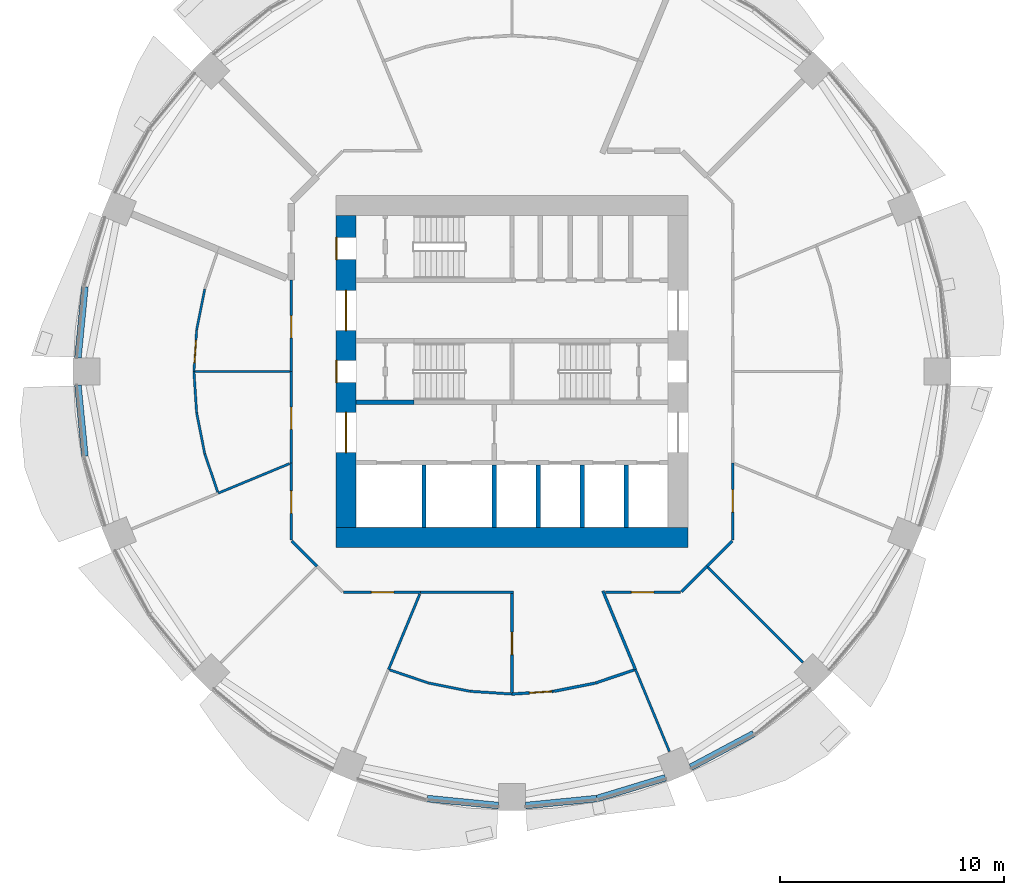
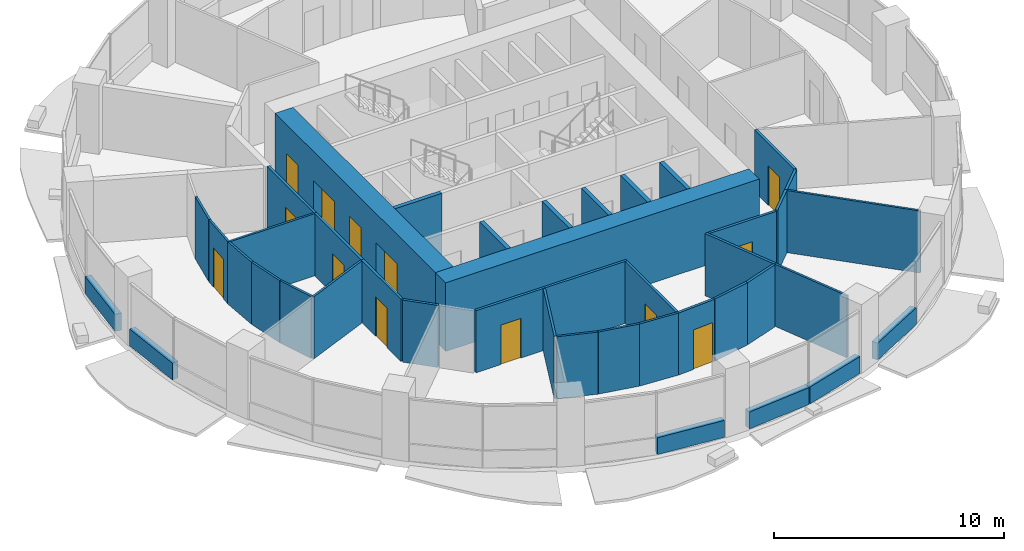
# One storey, part 8 of 15: 42 walls, 13 doors, 13 openings.
"""IFC4 building model written with IfcOpenShell, lengths in metres."""

from ifc_helpers import new_model, si_unit, direction, frame, frame_2d, origin, place, context, subcontext, project, spatial, rectangle, extrude, material, layer, layer_set, type_object, element, fill, save


model = new_model("IFC4")

# Units and contexts
model_context = context("Model", 3, precision=1e-05, world=origin(), true_north=direction((0.0, 1.0)))
body_context = subcontext(model_context, "Body", "Model", "MODEL_VIEW")
ifc_project = project(units=[si_unit("LENGTHUNIT", "METRE"), si_unit("AREAUNIT", "SQUARE_METRE"), si_unit("VOLUMEUNIT", "CUBIC_METRE"), si_unit("PLANEANGLEUNIT", "RADIAN"), si_unit("MASSUNIT", "GRAM", prefix="KILO")], contexts=[model_context])

# Site, building, storey
site_placement = place(None, origin())
site = spatial("IfcSite", under=ifc_project, at=site_placement, CompositionType="ELEMENT")
building_placement = place(site_placement, origin())
building = spatial("IfcBuilding", under=site, at=building_placement, Name="Polderwave Tower", CompositionType="ELEMENT")
storey_placement = place(building_placement, frame((0.0, 0.0, 48.10009765625)))
storey = spatial("IfcBuildingStorey", under=building, at=storey_placement, Name="L12", CompositionType="ELEMENT", Elevation=48.10009765625)

# Wall
ifc_material_1 = material(Name="Concrete C80/95", Category="concrete")
ifc_layer_1 = layer(ifc_material_1, 0.89990234375)
ifc_layer_set_1 = layer_set([ifc_layer_1], Name="CORE WALL 900 C80/95")
wall_type_1 = type_object("IfcWallType", Name="CORE WALL 900 C80/95", PredefinedType="SHEAR", material=ifc_layer_set_1)
wall_1_placement = place(storey_placement, frame((-7.8740234375, -7.424072265625, 0.0), z_axis=(0.0, 0.0, 1.0), x_axis=(1.0, 0.0, 0.0)))
element("IfcWall", 1, at=wall_1_placement, inside=storey, type_object=wall_type_1, Name="ST-CORE-L12-S", PredefinedType="SHEAR", context=body_context, shape_type="SweptSolid", body=[
    extrude(rectangle(XDim=15.748046875, YDim=0.89990234375, at=frame_2d((7.8740234375, 0.0))), origin(), (0.0, 0.0, 1.0), 3.64990234375),
])

# Wall, openings, doors
wall_2_placement = place(storey_placement, frame((-7.424072265625, -6.97412109375, 0.0), z_axis=(0.0, 0.0, 1.0), x_axis=(0.0, 1.0, 0.0)))
wall_2 = element("IfcWall", 2, at=wall_2_placement, inside=storey, type_object=wall_type_1, Name="ST-CORE-L12-W", PredefinedType="SHEAR", context=body_context, shape_type="SweptSolid", body=[
    extrude(rectangle(XDim=13.9482421875, YDim=0.89990234375, at=frame_2d((6.97412109375, 0.0))), origin(), (0.0, 0.0, 1.0), 3.64990234375),
])
opening_1_placement = place(wall_2_placement, frame((6.47412109375, 0.0, 0.0)))
opening_1 = element("IfcOpeningElement", 3, at=opening_1_placement, cuts=wall_2, Name="Opening L12-D19", PredefinedType="OPENING", context=body_context, shape_type="SweptSolid", body=[
    extrude(rectangle(XDim=1.0, YDim=2.10009765625, at=frame_2d((0.5, 1.050048828125))), frame((0.0, 0.4599609375, 0.0), z_axis=(0.0, -1.0, 0.0), x_axis=(1.0, 0.0, 0.0)), (0.0, 0.0, 1.0), 0.919921875),
])
opening_2_placement = place(wall_2_placement, frame((3.349609375, 0.0, 0.0)))
opening_2 = element("IfcOpeningElement", 4, at=opening_2_placement, cuts=wall_2, Name="Opening L12-D20", PredefinedType="OPENING", context=body_context, shape_type="SweptSolid", body=[
    extrude(rectangle(XDim=1.800048828125, YDim=2.10009765625, at=frame_2d((0.89990234375, 1.050048828125))), frame((0.0, 0.4599609375, 0.0), z_axis=(0.0, -1.0, 0.0), x_axis=(1.0, 0.0, 0.0)), (0.0, 0.0, 1.0), 0.919921875),
])
opening_3_placement = place(wall_2_placement, frame((8.798583984375, 0.0, 0.0)))
opening_3 = element("IfcOpeningElement", 5, at=opening_3_placement, cuts=wall_2, Name="Opening L12-D21", PredefinedType="OPENING", context=body_context, shape_type="SweptSolid", body=[
    extrude(rectangle(XDim=1.800048828125, YDim=2.10009765625, at=frame_2d((0.89990234375, 1.050048828125))), frame((0.0, 0.4599609375, 0.0), z_axis=(0.0, -1.0, 0.0), x_axis=(1.0, 0.0, 0.0)), (0.0, 0.0, 1.0), 0.919921875),
])
opening_4_placement = place(wall_2_placement, frame((11.97412109375, 0.0, 0.0)))
opening_4 = element("IfcOpeningElement", 6, at=opening_4_placement, cuts=wall_2, Name="Opening L12-D22", PredefinedType="OPENING", context=body_context, shape_type="SweptSolid", body=[
    extrude(rectangle(XDim=1.0, YDim=2.10009765625, at=frame_2d((0.5, 1.050048828125))), frame((0.0, 0.4599609375, 0.0), z_axis=(0.0, -1.0, 0.0), x_axis=(1.0, 0.0, 0.0)), (0.0, 0.0, 1.0), 0.919921875),
])
ifc_material_2 = material(Name="Steel fire door", Category="steel")
door_type_1 = type_object("IfcDoorType", Name="Lobby entry door pair 1800", OperationType="DOUBLE_DOOR_SINGLE_SWING", PredefinedType="DOOR", material=ifc_material_2)
door_1_placement = place(opening_2_placement, origin())
door_1 = element("IfcDoor", 7, at=door_1_placement, inside=storey, type_object=door_type_1, Name="Fire-fighting lobby entry door", OperationType="DOUBLE_DOOR_SINGLE_SWING", OverallHeight=2.10009765625, OverallWidth=1.800048828125, PredefinedType="DOOR", context=body_context, shape_type="SweptSolid", body=[
    extrude(rectangle(XDim=1.800048828125, YDim=2.10009765625, at=frame_2d((0.89990234375, 1.050048828125))), frame((0.0, 0.02490234375, 0.0), z_axis=(0.0, -1.0, 0.0), x_axis=(1.0, 0.0, 0.0)), (0.0, 0.0, 1.0), 0.050048828125),
])
fill(opening_2, door_1)
door_2_placement = place(opening_3_placement, origin())
door_2 = element("IfcDoor", 8, at=door_2_placement, inside=storey, type_object=door_type_1, Name="North lobby entry door", OperationType="DOUBLE_DOOR_SINGLE_SWING", OverallHeight=2.10009765625, OverallWidth=1.800048828125, PredefinedType="DOOR", context=body_context, shape_type="SweptSolid", body=[
    extrude(rectangle(XDim=1.800048828125, YDim=2.10009765625, at=frame_2d((0.89990234375, 1.050048828125))), frame((0.0, 0.02490234375, 0.0), z_axis=(0.0, -1.0, 0.0), x_axis=(1.0, 0.0, 0.0)), (0.0, 0.0, 1.0), 0.050048828125),
])
fill(opening_3, door_2)
door_type_2 = type_object("IfcDoorType", Name="Stair door 1000", OperationType="NOTDEFINED", PredefinedType="DOOR", material=ifc_material_2)
door_3_placement = place(opening_1_placement, origin())
door_3 = element("IfcDoor", 9, at=door_3_placement, inside=storey, type_object=door_type_2, Name="Stair A entry door", OperationType="SINGLE_SWING_RIGHT", OverallHeight=2.10009765625, OverallWidth=1.0, PredefinedType="DOOR", context=body_context, shape_type="SweptSolid", body=[
    extrude(rectangle(XDim=1.0, YDim=2.10009765625, at=frame_2d((0.5, 1.050048828125))), frame((0.0, 0.4501953125, 0.0), z_axis=(0.0, -1.0, 0.0), x_axis=(1.0, 0.0, 0.0)), (0.0, 0.0, 1.0), 0.050048828125),
])
fill(opening_1, door_3)
door_4_placement = place(opening_4_placement, origin())
door_4 = element("IfcDoor", 10, at=door_4_placement, inside=storey, type_object=door_type_2, Name="Stair C entry door", OperationType="SINGLE_SWING_RIGHT", OverallHeight=2.10009765625, OverallWidth=1.0, PredefinedType="DOOR", context=body_context, shape_type="SweptSolid", body=[
    extrude(rectangle(XDim=1.0, YDim=2.10009765625, at=frame_2d((0.5, 1.050048828125))), frame((0.0, 0.4501953125, 0.0), z_axis=(0.0, -1.0, 0.0), x_axis=(1.0, 0.0, 0.0)), (0.0, 0.0, 1.0), 0.050048828125),
])
fill(opening_4, door_4)

# Walls
ifc_material_3 = material(Name="Concrete C50/60 (board-marked)", Category="concrete")
ifc_layer_2 = layer(ifc_material_3, 0.300048828125)
ifc_layer_set_2 = layer_set([ifc_layer_2], Name="Concrete spandrel upstand C50/60")
wall_type_2 = type_object("IfcWallType", Name="Concrete spandrel upstand C50/60", PredefinedType="SOLIDWALL", material=ifc_layer_set_2)
for number, where, z_axis, x_axis, name in (
    (11, (-19.107421875, 3.78515625, 0.0), (0.0, 0.0, 1.0), (-0.097880808755, -0.995198144732, 0.0), "Spandrel L12 8b"),
    (12, (-19.41943359375, -0.61279296875, 0.0), (0.0, 0.0, 1.0), (0.097880808755, -0.995198144732, 0.0), "Spandrel L12 9a"),
    (13, (-3.78515625, -19.107421875, 0.0), (0.0, 0.0, 1.0), (0.995198144732, -0.097880808755, 0.0), "Spandrel L12 12b"),
    (14, (0.61279296875, -19.41943359375, 0.0), (0.0, 0.0, 1.0), (0.995198144732, 0.097880808755, 0.0), "Spandrel L12 13a"),
):
    element("IfcWall", number, at=place(storey_placement, frame(where, z_axis=z_axis, x_axis=x_axis)), inside=storey, type_object=wall_type_2, Name=name, PredefinedType="SOLIDWALL", context=body_context, shape_type="SweptSolid", body=[
        extrude(rectangle(XDim=3.187744140625, YDim=0.300048828125, at=frame_2d((1.59375, 0.0))), origin(), (0.0, 0.0, 1.0), 0.89990234375),
    ])
wall_3_placement = place(storey_placement, frame((3.814453125, -19.1015625, 0.0), z_axis=(0.0, 0.0, 1.0), x_axis=(0.956849017819, 0.290585541792, 0.0)))
element("IfcWall", 15, at=wall_3_placement, inside=storey, type_object=wall_type_2, Name="Spandrel L12 13b", PredefinedType="SOLIDWALL", context=body_context, shape_type="SweptSolid", body=[
    extrude(rectangle(XDim=3.1875, YDim=0.300048828125, at=frame_2d((1.59375, 0.0))), origin(), (0.0, 0.0, 1.0), 0.89990234375),
])
wall_4_placement = place(storey_placement, frame((7.998291015625, -17.705810546875, 0.0), z_axis=(0.0, 0.0, 1.0), x_axis=(0.881994263934, 0.471260138764, 0.0)))
element("IfcWall", 16, at=wall_4_placement, inside=storey, type_object=wall_type_2, Name="Spandrel L12 14a", PredefinedType="SOLIDWALL", context=body_context, shape_type="SweptSolid", body=[
    extrude(rectangle(XDim=3.1865234375, YDim=0.300048828125, at=frame_2d((1.59326171875, 0.0))), origin(), (0.0, 0.0, 1.0), 0.89990234375),
])
ifc_material_4 = material(Name="Concrete C50/60", Category="concrete")
ifc_layer_3 = layer(ifc_material_4, 0.199951171875)
ifc_layer_set_3 = layer_set([ifc_layer_3], Name="Core web wall 200")
wall_type_3 = type_object("IfcWallType", Name="Core web wall 200", PredefinedType="SHEAR", material=ifc_layer_set_3)
wall_5_placement = place(storey_placement, frame((-6.97412109375, -1.375, 0.0), z_axis=(0.0, 0.0, 1.0), x_axis=(1.0, 0.0, 0.0)))
element("IfcWall", 17, at=wall_5_placement, inside=storey, type_object=wall_type_3, Name="L12 south stair wall 1", PredefinedType="SHEAR", context=body_context, shape_type="SweptSolid", body=[
    extrude(rectangle(XDim=2.60009765625, YDim=0.199951171875, at=frame_2d((1.300048828125, 0.0))), origin(), (0.0, 0.0, 1.0), 3.2998046875),
])
ifc_material_5 = material(Name="Fire-resisting board on steel studs", Category="steel")
ifc_layer_4 = layer(ifc_material_5, 0.125)
ifc_layer_set_4 = layer_set([ifc_layer_4], Name="Corridor wall 125 mm EI 60")
wall_type_4 = type_object("IfcWallType", Name="Corridor wall 125 mm EI 60", PredefinedType="PARTITIONING", material=ifc_layer_set_4)
wall_6_placement = place(storey_placement, frame((9.855712890625, -7.58935546875, 0.0), z_axis=(0.0, 0.0, 1.0), x_axis=(-0.70718294931, -0.707030604857, 0.0)))
element("IfcWall", 18, at=wall_6_placement, inside=storey, type_object=wall_type_4, Name="IN-L12-W004", PredefinedType="PARTITIONING", context=body_context, shape_type="SweptSolid", body=[
    extrude(rectangle(XDim=1.6025390625, YDim=0.125, at=frame_2d((0.80126953125, 0.0))), origin(), (0.0, 0.0, 1.0), 3.2998046875),
])

# Wall, opening, door
wall_7_placement = place(storey_placement, frame((9.8740234375, -4.08984375, 0.0), z_axis=(0.0, 0.0, 1.0), x_axis=(0.0, -1.0, 0.0)))
wall_7 = element("IfcWall", 19, at=wall_7_placement, inside=storey, type_object=wall_type_4, Name="IN-L12-W005", PredefinedType="PARTITIONING", context=body_context, shape_type="SweptSolid", body=[
    extrude(rectangle(XDim=3.455322265625, YDim=0.125, at=frame_2d((1.7275390625, 0.0))), origin(), (0.0, 0.0, 1.0), 3.2998046875),
])
opening_5_placement = place(wall_7_placement, frame((1.199951171875, 0.0, 0.0)))
opening_5 = element("IfcOpeningElement", 20, at=opening_5_placement, cuts=wall_7, Name="Opening L12-D52", PredefinedType="OPENING", context=body_context, shape_type="SweptSolid", body=[
    extrude(rectangle(XDim=1.0, YDim=2.10009765625, at=frame_2d((0.5, 1.050048828125))), frame((0.0, 0.072509765625, 0.0), z_axis=(0.0, -1.0, 0.0), x_axis=(1.0, 0.0, 0.0)), (0.0, 0.0, 1.0), 0.14501953125),
])
ifc_material_6 = material(Name="Timber fire door leaf", Category="wood")
door_type_3 = type_object("IfcDoorType", Name="Fire door FD30S 1000 x 2100", OperationType="NOTDEFINED", PredefinedType="DOOR", material=ifc_material_6)
door_5_placement = place(opening_5_placement, origin())
door_5 = element("IfcDoor", 21, at=door_5_placement, inside=storey, type_object=door_type_3, Name="Door L12-D52", OperationType="SINGLE_SWING_LEFT", OverallHeight=2.10009765625, OverallWidth=1.0, PredefinedType="DOOR", context=body_context, shape_type="SweptSolid", body=[
    extrude(rectangle(XDim=1.0, YDim=2.10009765625, at=frame_2d((0.5, 1.050048828125))), frame((0.0, 0.02490234375, 0.0), z_axis=(0.0, -1.0, 0.0), x_axis=(1.0, 0.0, 0.0)), (0.0, 0.0, 1.0), 0.050048828125),
])
fill(opening_5, door_5)

wall_8_placement = place(storey_placement, frame((-9.8740234375, 0.0, 0.0), z_axis=(0.0, 0.0, 1.0), x_axis=(0.0, 1.0, 0.0)))
wall_8 = element("IfcWall", 22, at=wall_8_placement, inside=storey, type_object=wall_type_4, Name="IN-L12-W013", PredefinedType="PARTITIONING", context=body_context, shape_type="SweptSolid", body=[
    extrude(rectangle(XDim=4.08984375, YDim=0.125, at=frame_2d((2.044921875, 0.0))), origin(), (0.0, 0.0, 1.0), 3.2998046875),
])
opening_6_placement = place(wall_8_placement, frame((1.5, 0.0, 0.0)))
opening_6 = element("IfcOpeningElement", 23, at=opening_6_placement, cuts=wall_8, Name="Opening L12-D57", PredefinedType="OPENING", context=body_context, shape_type="SweptSolid", body=[
    extrude(rectangle(XDim=1.0, YDim=2.10009765625, at=frame_2d((0.5, 1.050048828125))), frame((0.0, 0.072509765625, 0.0), z_axis=(0.0, -1.0, 0.0), x_axis=(1.0, 0.0, 0.0)), (0.0, 0.0, 1.0), 0.14501953125),
])
door_6_placement = place(opening_6_placement, origin())
door_6 = element("IfcDoor", 24, at=door_6_placement, inside=storey, type_object=door_type_3, Name="Door L12-D57", OperationType="SINGLE_SWING_LEFT", OverallHeight=2.10009765625, OverallWidth=1.0, PredefinedType="DOOR", context=body_context, shape_type="SweptSolid", body=[
    extrude(rectangle(XDim=1.0, YDim=2.10009765625, at=frame_2d((0.5, 1.050048828125))), frame((0.0, 0.02490234375, 0.0), z_axis=(0.0, -1.0, 0.0), x_axis=(1.0, 0.0, 0.0)), (0.0, 0.0, 1.0), 0.050048828125),
])
fill(opening_6, door_6)

wall_9_placement = place(storey_placement, frame((-9.8740234375, -4.08984375, 0.0), z_axis=(0.0, 0.0, 1.0), x_axis=(0.0, 1.0, 0.0)))
wall_9 = element("IfcWall", 25, at=wall_9_placement, inside=storey, type_object=wall_type_4, Name="IN-L12-W014", PredefinedType="PARTITIONING", context=body_context, shape_type="SweptSolid", body=[
    extrude(rectangle(XDim=4.08984375, YDim=0.125, at=frame_2d((2.044921875, 0.0))), origin(), (0.0, 0.0, 1.0), 3.2998046875),
])
opening_7_placement = place(wall_9_placement, frame((1.5, 0.0, 0.0)))
opening_7 = element("IfcOpeningElement", 26, at=opening_7_placement, cuts=wall_9, Name="Opening L12-D58", PredefinedType="OPENING", context=body_context, shape_type="SweptSolid", body=[
    extrude(rectangle(XDim=1.0, YDim=2.10009765625, at=frame_2d((0.5, 1.050048828125))), frame((0.0, 0.072509765625, 0.0), z_axis=(0.0, -1.0, 0.0), x_axis=(1.0, 0.0, 0.0)), (0.0, 0.0, 1.0), 0.14501953125),
])
door_7_placement = place(opening_7_placement, origin())
door_7 = element("IfcDoor", 27, at=door_7_placement, inside=storey, type_object=door_type_3, Name="Door L12-D58", OperationType="SINGLE_SWING_LEFT", OverallHeight=2.10009765625, OverallWidth=1.0, PredefinedType="DOOR", context=body_context, shape_type="SweptSolid", body=[
    extrude(rectangle(XDim=1.0, YDim=2.10009765625, at=frame_2d((0.5, 1.050048828125))), frame((0.0, 0.02490234375, 0.0), z_axis=(0.0, -1.0, 0.0), x_axis=(1.0, 0.0, 0.0)), (0.0, 0.0, 1.0), 0.050048828125),
])
fill(opening_7, door_7)

wall_10_placement = place(storey_placement, frame((-9.8740234375, -7.545166015625, 0.0), z_axis=(0.0, 0.0, 1.0), x_axis=(0.0, 1.0, 0.0)))
wall_10 = element("IfcWall", 28, at=wall_10_placement, inside=storey, type_object=wall_type_4, Name="IN-L12-W015", PredefinedType="PARTITIONING", context=body_context, shape_type="SweptSolid", body=[
    extrude(rectangle(XDim=3.455322265625, YDim=0.125, at=frame_2d((1.7275390625, 0.0))), origin(), (0.0, 0.0, 1.0), 3.2998046875),
])
opening_8_placement = place(wall_10_placement, frame((1.199951171875, 0.0, 0.0)))
opening_8 = element("IfcOpeningElement", 29, at=opening_8_placement, cuts=wall_10, Name="Opening L12-D59", PredefinedType="OPENING", context=body_context, shape_type="SweptSolid", body=[
    extrude(rectangle(XDim=1.0, YDim=2.10009765625, at=frame_2d((0.5, 1.050048828125))), frame((0.0, 0.072509765625, 0.0), z_axis=(0.0, -1.0, 0.0), x_axis=(1.0, 0.0, 0.0)), (0.0, 0.0, 1.0), 0.14501953125),
])
door_8_placement = place(opening_8_placement, origin())
door_8 = element("IfcDoor", 30, at=door_8_placement, inside=storey, type_object=door_type_3, Name="Door L12-D59", OperationType="SINGLE_SWING_LEFT", OverallHeight=2.10009765625, OverallWidth=1.0, PredefinedType="DOOR", context=body_context, shape_type="SweptSolid", body=[
    extrude(rectangle(XDim=1.0, YDim=2.10009765625, at=frame_2d((0.5, 1.050048828125))), frame((0.0, 0.02490234375, 0.0), z_axis=(0.0, -1.0, 0.0), x_axis=(1.0, 0.0, 0.0)), (0.0, 0.0, 1.0), 0.050048828125),
])
fill(opening_8, door_8)

# Wall
wall_11_placement = place(storey_placement, frame((-8.722412109375, -8.722412109375, 0.0), z_axis=(0.0, 0.0, 1.0), x_axis=(-0.70718294931, 0.707030604857, 0.0)))
element("IfcWall", 31, at=wall_11_placement, inside=storey, type_object=wall_type_4, Name="IN-L12-W016", PredefinedType="PARTITIONING", context=body_context, shape_type="SweptSolid", body=[
    extrude(rectangle(XDim=1.6025390625, YDim=0.125, at=frame_2d((0.80126953125, 0.0))), origin(), (0.0, 0.0, 1.0), 3.2998046875),
])

# Wall, opening, door
wall_12_placement = place(storey_placement, frame((-4.08984375, -9.8740234375, 0.0), z_axis=(0.0, 0.0, 1.0), x_axis=(-1.0, 0.0, 0.0)))
wall_12 = element("IfcWall", 32, at=wall_12_placement, inside=storey, type_object=wall_type_4, Name="IN-L12-W018", PredefinedType="PARTITIONING", context=body_context, shape_type="SweptSolid", body=[
    extrude(rectangle(XDim=3.455322265625, YDim=0.125, at=frame_2d((1.7275390625, 0.0))), origin(), (0.0, 0.0, 1.0), 3.2998046875),
])
opening_9_placement = place(wall_12_placement, frame((1.199951171875, 0.0, 0.0)))
opening_9 = element("IfcOpeningElement", 33, at=opening_9_placement, cuts=wall_12, Name="Opening L12-D60", PredefinedType="OPENING", context=body_context, shape_type="SweptSolid", body=[
    extrude(rectangle(XDim=1.0, YDim=2.10009765625, at=frame_2d((0.5, 1.050048828125))), frame((0.0, 0.072509765625, 0.0), z_axis=(0.0, -1.0, 0.0), x_axis=(1.0, 0.0, 0.0)), (0.0, 0.0, 1.0), 0.14501953125),
])
door_9_placement = place(opening_9_placement, origin())
door_9 = element("IfcDoor", 34, at=door_9_placement, inside=storey, type_object=door_type_3, Name="Door L12-D60", OperationType="SINGLE_SWING_LEFT", OverallHeight=2.10009765625, OverallWidth=1.0, PredefinedType="DOOR", context=body_context, shape_type="SweptSolid", body=[
    extrude(rectangle(XDim=1.0, YDim=2.10009765625, at=frame_2d((0.5, 1.050048828125))), frame((0.0, 0.02490234375, 0.0), z_axis=(0.0, -1.0, 0.0), x_axis=(1.0, 0.0, 0.0)), (0.0, 0.0, 1.0), 0.050048828125),
])
fill(opening_9, door_9)

# Wall
wall_13_placement = place(storey_placement, frame((0.0625, -9.8740234375, 0.0), z_axis=(0.0, 0.0, 1.0), x_axis=(-1.0, 0.0, 0.0)))
element("IfcWall", 35, at=wall_13_placement, inside=storey, type_object=wall_type_4, Name="IN-L12-W019", PredefinedType="PARTITIONING", context=body_context, shape_type="SweptSolid", body=[
    extrude(rectangle(XDim=4.15234375, YDim=0.125, at=frame_2d((2.076171875, 0.0))), origin(), (0.0, 0.0, 1.0), 3.2998046875),
])

# Wall, opening, door
wall_14_placement = place(storey_placement, frame((7.545166015625, -9.8740234375, 0.0), z_axis=(0.0, 0.0, 1.0), x_axis=(-1.0, 0.0, 0.0)))
wall_14 = element("IfcWall", 36, at=wall_14_placement, inside=storey, type_object=wall_type_4, Name="IN-L12-W020", PredefinedType="PARTITIONING", context=body_context, shape_type="SweptSolid", body=[
    extrude(rectangle(XDim=3.36181640625, YDim=0.125, at=frame_2d((1.680908203125, 0.0))), origin(), (0.0, 0.0, 1.0), 3.2998046875),
])
opening_10_placement = place(wall_14_placement, frame((1.199951171875, 0.0, 0.0)))
opening_10 = element("IfcOpeningElement", 37, at=opening_10_placement, cuts=wall_14, Name="Opening L12-D61", PredefinedType="OPENING", context=body_context, shape_type="SweptSolid", body=[
    extrude(rectangle(XDim=1.0, YDim=2.10009765625, at=frame_2d((0.5, 1.050048828125))), frame((0.0, 0.072509765625, 0.0), z_axis=(0.0, -1.0, 0.0), x_axis=(1.0, 0.0, 0.0)), (0.0, 0.0, 1.0), 0.14501953125),
])
door_10_placement = place(opening_10_placement, origin())
door_10 = element("IfcDoor", 38, at=door_10_placement, inside=storey, type_object=door_type_3, Name="Door L12-D61", OperationType="SINGLE_SWING_RIGHT", OverallHeight=2.10009765625, OverallWidth=1.0, PredefinedType="DOOR", context=body_context, shape_type="SweptSolid", body=[
    extrude(rectangle(XDim=1.0, YDim=2.10009765625, at=frame_2d((0.5, 1.050048828125))), frame((0.0, 0.02490234375, 0.0), z_axis=(0.0, -1.0, 0.0), x_axis=(1.0, 0.0, 0.0)), (0.0, 0.0, 1.0), 0.050048828125),
])
fill(opening_10, door_10)

# Wall
wall_15_placement = place(storey_placement, frame((8.722412109375, -8.722412109375, 0.0), z_axis=(0.0, 0.0, 1.0), x_axis=(-0.707030604857, -0.70718294931, 0.0)))
element("IfcWall", 39, at=wall_15_placement, inside=storey, type_object=wall_type_4, Name="IN-L12-W021", PredefinedType="PARTITIONING", context=body_context, shape_type="SweptSolid", body=[
    extrude(rectangle(XDim=1.6025390625, YDim=0.125, at=frame_2d((0.80126953125, 0.0))), origin(), (0.0, 0.0, 1.0), 3.2998046875),
])

# Wall, opening, door
wall_16_placement = place(storey_placement, frame((0.0, -14.36328125, 0.0), z_axis=(0.0, 0.0, 1.0), x_axis=(0.0, 1.0, 0.0)))
wall_16 = element("IfcWall", 40, at=wall_16_placement, inside=storey, type_object=wall_type_4, Name="IN-L12-W062", PredefinedType="PARTITIONING", context=body_context, shape_type="SweptSolid", body=[
    extrude(rectangle(XDim=4.4267578125, YDim=0.125, at=frame_2d((2.21337890625, 0.0))), origin(), (0.0, 0.0, 1.0), 3.2998046875),
])
opening_11_placement = place(wall_16_placement, frame((1.699951171875, 0.0, 0.0)))
opening_11 = element("IfcOpeningElement", 41, at=opening_11_placement, cuts=wall_16, Name="Opening L12-D66", PredefinedType="OPENING", context=body_context, shape_type="SweptSolid", body=[
    extrude(rectangle(XDim=1.0, YDim=2.10009765625, at=frame_2d((0.5, 1.050048828125))), frame((0.0, 0.072509765625, 0.0), z_axis=(0.0, -1.0, 0.0), x_axis=(1.0, 0.0, 0.0)), (0.0, 0.0, 1.0), 0.14501953125),
])
door_11_placement = place(opening_11_placement, origin())
door_11 = element("IfcDoor", 42, at=door_11_placement, inside=storey, type_object=door_type_3, Name="Door L12-D66", OperationType="SINGLE_SWING_LEFT", OverallHeight=2.10009765625, OverallWidth=1.0, PredefinedType="DOOR", context=body_context, shape_type="SweptSolid", body=[
    extrude(rectangle(XDim=1.0, YDim=2.10009765625, at=frame_2d((0.5, 1.050048828125))), frame((0.0, 0.02490234375, 0.0), z_axis=(0.0, -1.0, 0.0), x_axis=(1.0, 0.0, 0.0)), (0.0, 0.0, 1.0), 0.050048828125),
])
fill(opening_11, door_11)

wall_17_placement = place(storey_placement, frame((1.87939453125, -14.306884765625, 0.0), z_axis=(0.0, 0.0, 1.0), x_axis=(-0.997863603838, -0.065331677882, 0.0)))
wall_17 = element("IfcWall", 43, at=wall_17_placement, inside=storey, type_object=wall_type_4, Name="IN-L12-W063", PredefinedType="PARTITIONING", context=body_context, shape_type="SweptSolid", body=[
    extrude(rectangle(XDim=1.88330078125, YDim=0.125, at=frame_2d((0.941650390625, 0.0))), origin(), (0.0, 0.0, 1.0), 3.2998046875),
])
opening_12_placement = place(wall_17_placement, frame((0.10009765625, 0.0, 0.0)))
opening_12 = element("IfcOpeningElement", 44, at=opening_12_placement, cuts=wall_17, Name="Opening L12-D67", PredefinedType="OPENING", context=body_context, shape_type="SweptSolid", body=[
    extrude(rectangle(XDim=1.0, YDim=2.10009765625, at=frame_2d((0.5, 1.050048828125))), frame((0.0, 0.072509765625, 0.0), z_axis=(0.0, -1.0, 0.0), x_axis=(1.0, 0.0, 0.0)), (0.0, 0.0, 1.0), 0.14501953125),
])
door_12_placement = place(opening_12_placement, origin())
door_12 = element("IfcDoor", 45, at=door_12_placement, inside=storey, type_object=door_type_3, Name="Door L12-D67", OperationType="SINGLE_SWING_LEFT", OverallHeight=2.10009765625, OverallWidth=1.0, PredefinedType="DOOR", context=body_context, shape_type="SweptSolid", body=[
    extrude(rectangle(XDim=1.0, YDim=2.10009765625, at=frame_2d((0.5, 1.050048828125))), frame((0.0, 0.02490234375, 0.0), z_axis=(0.0, -1.0, 0.0), x_axis=(1.0, 0.0, 0.0)), (0.0, 0.0, 1.0), 0.050048828125),
])
fill(opening_12, door_12)

# Walls
wall_18_placement = place(storey_placement, frame((1.887451171875, -14.3056640625, 0.0), z_axis=(0.0, 0.0, 1.0), x_axis=(0.980804871908, 0.194991803011, 0.0)))
element("IfcWall", 46, at=wall_18_placement, inside=storey, type_object=wall_type_4, Name="IN-L12-W064", PredefinedType="PARTITIONING", context=body_context, shape_type="SweptSolid", body=[
    extrude(rectangle(XDim=1.87939453125, YDim=0.125, at=frame_2d((0.939697265625, 0.0))), origin(), (0.0, 0.0, 1.0), 3.2998046875),
])
wall_19_placement = place(storey_placement, frame((3.73876953125, -13.93701171875, 0.0), z_axis=(0.0, 0.0, 1.0), x_axis=(0.946921731465, 0.32146420404, 0.0)))
element("IfcWall", 47, at=wall_19_placement, inside=storey, type_object=wall_type_4, Name="IN-L12-W065", PredefinedType="PARTITIONING", context=body_context, shape_type="SweptSolid", body=[
    extrude(rectangle(XDim=1.816650390625, YDim=0.125, at=frame_2d((0.908203125, 0.0))), origin(), (0.0, 0.0, 1.0), 3.2998046875),
])
wall_20_placement = place(storey_placement, frame((4.06591796875, -9.81640625, 0.0), z_axis=(0.0, 0.0, 1.0), x_axis=(0.382746586719, -0.923853370592, 0.0)))
element("IfcWall", 48, at=wall_20_placement, inside=storey, type_object=wall_type_4, Name="IN-L12-W067", PredefinedType="PARTITIONING", context=body_context, shape_type="SweptSolid", body=[
    extrude(rectangle(XDim=3.804931640625, YDim=0.125, at=frame_2d((1.90234375, 0.0))), origin(), (0.0, 0.0, 1.0), 3.2998046875),
])

# Wall, opening, door
ifc_material_7 = material(Name="Plasterboard on steel studs", Category="steel")
ifc_layer_5 = layer(ifc_material_7, 0.10009765625)
ifc_layer_set_5 = layer_set([ifc_layer_5], Name="Partition 100 mm plasterboard on steel studs")
wall_type_5 = type_object("IfcWallType", Name="Partition 100 mm plasterboard on steel studs", PredefinedType="PARTITIONING", material=ifc_layer_set_5)
wall_21_placement = place(storey_placement, frame((-14.22998046875, 0.0, 0.0), z_axis=(0.0, 0.0, 1.0), x_axis=(0.065437532333, 0.997856667745, 0.0)))
wall_21 = element("IfcWall", 49, at=wall_21_placement, inside=storey, type_object=wall_type_5, Name="IN-L12-W047", PredefinedType="PARTITIONING", context=body_context, shape_type="SweptSolid", body=[
    extrude(rectangle(XDim=1.85791015625, YDim=0.10009765625, at=frame_2d((0.928955078125, 0.0))), origin(), (0.0, 0.0, 1.0), 3.2998046875),
])
opening_13_placement = place(wall_21_placement, frame((0.39990234375, 0.0, 0.0)))
opening_13 = element("IfcOpeningElement", 50, at=opening_13_placement, cuts=wall_21, Name="Opening L12-D65", PredefinedType="OPENING", context=body_context, shape_type="SweptSolid", body=[
    extrude(rectangle(XDim=1.0, YDim=2.10009765625, at=frame_2d((0.5, 1.050048828125))), frame((0.0, 0.06005859375, 0.0), z_axis=(0.0, -1.0, 0.0), x_axis=(1.0, 0.0, 0.0)), (0.0, 0.0, 1.0), 0.1201171875),
])
ifc_material_8 = material(Name="Timber veneer door leaf", Category="wood")
door_type_4 = type_object("IfcDoorType", Name="Single door 1000 x 2100", OperationType="NOTDEFINED", PredefinedType="DOOR", material=ifc_material_8)
door_13_placement = place(opening_13_placement, origin())
door_13 = element("IfcDoor", 51, at=door_13_placement, inside=storey, type_object=door_type_4, Name="Door L12-D65", OperationType="SINGLE_SWING_LEFT", OverallHeight=2.10009765625, OverallWidth=1.0, PredefinedType="DOOR", context=body_context, shape_type="SweptSolid", body=[
    extrude(rectangle(XDim=1.0, YDim=2.10009765625, at=frame_2d((0.5, 1.050048828125))), frame((0.0, 0.02490234375, 0.0), z_axis=(0.0, -1.0, 0.0), x_axis=(1.0, 0.0, 0.0)), (0.0, 0.0, 1.0), 0.050048828125),
])
fill(opening_13, door_13)

# Walls
wall_22_placement = place(storey_placement, frame((-14.107666015625, 1.860595703125, 0.0), z_axis=(0.0, 0.0, 1.0), x_axis=(0.195204777565, 0.980762506836, 0.0)))
element("IfcWall", 52, at=wall_22_placement, inside=storey, type_object=wall_type_5, Name="IN-L12-W048", PredefinedType="PARTITIONING", context=body_context, shape_type="SweptSolid", body=[
    extrude(rectangle(XDim=1.854736328125, YDim=0.10009765625, at=frame_2d((0.92724609375, 0.0))), origin(), (0.0, 0.0, 1.0), 3.2998046875),
])
ifc_material_9 = material(Name="Moisture-resistant board on steel studs, tiled", Category="steel")
ifc_layer_6 = layer(ifc_material_9, 0.10498046875)
ifc_layer_set_6 = layer_set([ifc_layer_6], Name="Partition 105 mm wet room board and tile")
wall_type_6 = type_object("IfcWallType", Name="Partition 105 mm wet room board and tile", PredefinedType="PARTITIONING", material=ifc_layer_set_6)
wall_23_placement = place(storey_placement, frame((-9.9365234375, 0.0, 0.0), z_axis=(0.0, 0.0, 1.0), x_axis=(-1.0, 0.0, 0.0)))
element("IfcWall", 53, at=wall_23_placement, inside=storey, type_object=wall_type_6, Name="IN-L12-W050", PredefinedType="PARTITIONING", context=body_context, shape_type="SweptSolid", body=[
    extrude(rectangle(XDim=4.2373046875, YDim=0.10498046875, at=frame_2d((2.11865234375, 0.0))), origin(), (0.0, 0.0, 1.0), 3.2998046875),
])
wall_24_placement = place(storey_placement, frame((-14.22998046875, 0.0, 0.0), z_axis=(0.0, 0.0, 1.0), x_axis=(0.065437532333, -0.997856667745, 0.0)))
element("IfcWall", 54, at=wall_24_placement, inside=storey, type_object=wall_type_6, Name="IN-L12-W051", PredefinedType="PARTITIONING", context=body_context, shape_type="SweptSolid", body=[
    extrude(rectangle(XDim=1.85791015625, YDim=0.10498046875, at=frame_2d((0.928955078125, 0.0))), origin(), (0.0, 0.0, 1.0), 3.2998046875),
])
wall_25_placement = place(storey_placement, frame((-14.107666015625, -1.86083984375, 0.0), z_axis=(0.0, 0.0, 1.0), x_axis=(0.195103348377, -0.980782689209, 0.0)))
element("IfcWall", 55, at=wall_25_placement, inside=storey, type_object=wall_type_6, Name="IN-L12-W052", PredefinedType="PARTITIONING", context=body_context, shape_type="SweptSolid", body=[
    extrude(rectangle(XDim=1.8544921875, YDim=0.10498046875, at=frame_2d((0.92724609375, 0.0))), origin(), (0.0, 0.0, 1.0), 3.2998046875),
])
wall_26_placement = place(storey_placement, frame((-13.743896484375, -3.686279296875, 0.0), z_axis=(0.0, 0.0, 1.0), x_axis=(0.321433227273, -0.946932246998, 0.0)))
element("IfcWall", 56, at=wall_26_placement, inside=storey, type_object=wall_type_6, Name="IN-L12-W053", PredefinedType="PARTITIONING", context=body_context, shape_type="SweptSolid", body=[
    extrude(rectangle(XDim=1.79931640625, YDim=0.10498046875, at=frame_2d((0.899658203125, 0.0))), origin(), (0.0, 0.0, 1.0), 3.2998046875),
])
wall_27_placement = place(storey_placement, frame((-9.95654296875, -4.1240234375, 0.0), z_axis=(0.0, 0.0, 1.0), x_axis=(-0.923867748948, -0.382711879165, 0.0)))
element("IfcWall", 57, at=wall_27_placement, inside=storey, type_object=wall_type_6, Name="IN-L12-W055", PredefinedType="PARTITIONING", context=body_context, shape_type="SweptSolid", body=[
    extrude(rectangle(XDim=3.453125, YDim=0.10498046875, at=frame_2d((1.7265625, 0.0))), origin(), (0.0, 0.0, 1.0), 3.2998046875),
])
wall_28_placement = place(storey_placement, frame((5.522216796875, -13.33154296875, 0.0), z_axis=(0.0, 0.0, 1.0), x_axis=(0.382675844596, -0.923882675432, 0.0)))
element("IfcWall", 58, at=wall_28_placement, inside=storey, type_object=wall_type_6, Name="IN-L12-W066", PredefinedType="PARTITIONING", context=body_context, shape_type="SweptSolid", body=[
    extrude(rectangle(XDim=3.97021484375, YDim=0.10498046875, at=frame_2d((1.985107421875, 0.0))), origin(), (0.0, 0.0, 1.0), 3.2998046875),
])
wall_29_placement = place(storey_placement, frame((8.7666015625, -8.7666015625, 0.0), z_axis=(0.0, 0.0, 1.0), x_axis=(0.707106781187, -0.707106781187, 0.0)))
element("IfcWall", 59, at=wall_29_placement, inside=storey, type_object=wall_type_6, Name="IN-L12-W068", PredefinedType="PARTITIONING", context=body_context, shape_type="SweptSolid", body=[
    extrude(rectangle(XDim=6.002197265625, YDim=0.10498046875, at=frame_2d((3.0009765625, 0.0))), origin(), (0.0, 0.0, 1.0), 3.2998046875),
])
ifc_material_10 = material(Name="Acoustic double plasterboard on steel studs", Category="steel")
ifc_layer_7 = layer(ifc_material_10, 0.110107421875)
ifc_layer_set_7 = layer_set([ifc_layer_7], Name="Partition 110 mm acoustic double board")
wall_type_7 = type_object("IfcWallType", Name="Partition 110 mm acoustic double board", PredefinedType="PARTITIONING", material=ifc_layer_set_7)
wall_30_placement = place(storey_placement, frame((-4.12451171875, -9.95751953125, 0.0), z_axis=(0.0, 0.0, 1.0), x_axis=(-0.382715874613, -0.923866093825, 0.0)))
element("IfcWall", 60, at=wall_30_placement, inside=storey, type_object=wall_type_7, Name="IN-L12-W057", PredefinedType="PARTITIONING", context=body_context, shape_type="SweptSolid", body=[
    extrude(rectangle(XDim=3.652099609375, YDim=0.110107421875, at=frame_2d((1.826171875, 0.0))), origin(), (0.0, 0.0, 1.0), 3.2998046875),
])
wall_31_placement = place(storey_placement, frame((-3.73828125, -13.93701171875, 0.0), z_axis=(0.0, 0.0, 1.0), x_axis=(-0.94697070508, 0.321319908688, 0.0)))
element("IfcWall", 61, at=wall_31_placement, inside=storey, type_object=wall_type_7, Name="IN-L12-W059", PredefinedType="PARTITIONING", context=body_context, shape_type="SweptSolid", body=[
    extrude(rectangle(XDim=1.824951171875, YDim=0.110107421875, at=frame_2d((0.91259765625, 0.0))), origin(), (0.0, 0.0, 1.0), 3.2998046875),
])
wall_32_placement = place(storey_placement, frame((-1.886962890625, -14.305908203125, 0.0), z_axis=(0.0, 0.0, 1.0), x_axis=(-0.980774944963, 0.195142274593, 0.0)))
element("IfcWall", 62, at=wall_32_placement, inside=storey, type_object=wall_type_7, Name="IN-L12-W060", PredefinedType="PARTITIONING", context=body_context, shape_type="SweptSolid", body=[
    extrude(rectangle(XDim=1.88037109375, YDim=0.110107421875, at=frame_2d((0.940185546875, 0.0))), origin(), (0.0, 0.0, 1.0), 3.2998046875),
])
wall_33_placement = place(storey_placement, frame((0.0, -14.429931640625, 0.0), z_axis=(0.0, 0.0, 1.0), x_axis=(-0.997856255434, 0.06544381935, 0.0)))
element("IfcWall", 63, at=wall_33_placement, inside=storey, type_object=wall_type_7, Name="IN-L12-W061", PredefinedType="PARTITIONING", context=body_context, shape_type="SweptSolid", body=[
    extrude(rectangle(XDim=1.884033203125, YDim=0.110107421875, at=frame_2d((0.94189453125, 0.0))), origin(), (0.0, 0.0, 1.0), 3.2998046875),
])
ifc_material_11 = material(Name="Gypsum shaft wall system")
ifc_layer_8 = layer(ifc_material_11, 0.199951171875)
ifc_layer_set_8 = layer_set([ifc_layer_8], Name="Shaft wall 200")
wall_type_8 = type_object("IfcWallType", Name="Shaft wall 200", PredefinedType="PARTITIONING", material=ifc_layer_set_8)
for number, where, z_axis, x_axis, name in (
    (64, (-3.93701171875, -6.97412109375, 0.0), (0.0, 0.0, 1.0), (0.0, 1.0, 0.0), "L12 fire-fighting shaft wall 1"),
    (65, (-0.800048828125, -6.97412109375, 0.0), (0.0, 0.0, 1.0), (0.0, 1.0, 0.0), "L12 fire-fighting shaft wall 2"),
    (66, (1.16845703125, -6.97412109375, 0.0), (0.0, 0.0, 1.0), (0.0, 1.0, 0.0), "L12 lift shaft wall 1"),
    (67, (3.136962890625, -6.97412109375, 0.0), (0.0, 0.0, 1.0), (0.0, 1.0, 0.0), "L12 lift shaft wall 2"),
    (68, (5.10546875, -6.97412109375, 0.0), (0.0, 0.0, 1.0), (0.0, 1.0, 0.0), "L12 lift shaft wall 3"),
):
    element("IfcWall", number, at=place(storey_placement, frame(where, z_axis=z_axis, x_axis=x_axis)), inside=storey, type_object=wall_type_8, Name=name, PredefinedType="PARTITIONING", context=body_context, shape_type="SweptSolid", body=[
        extrude(rectangle(XDim=2.800048828125, YDim=0.199951171875, at=frame_2d((1.39990234375, 0.0))), origin(), (0.0, 0.0, 1.0), 3.2998046875),
    ])

save(model, "model.ifc")
